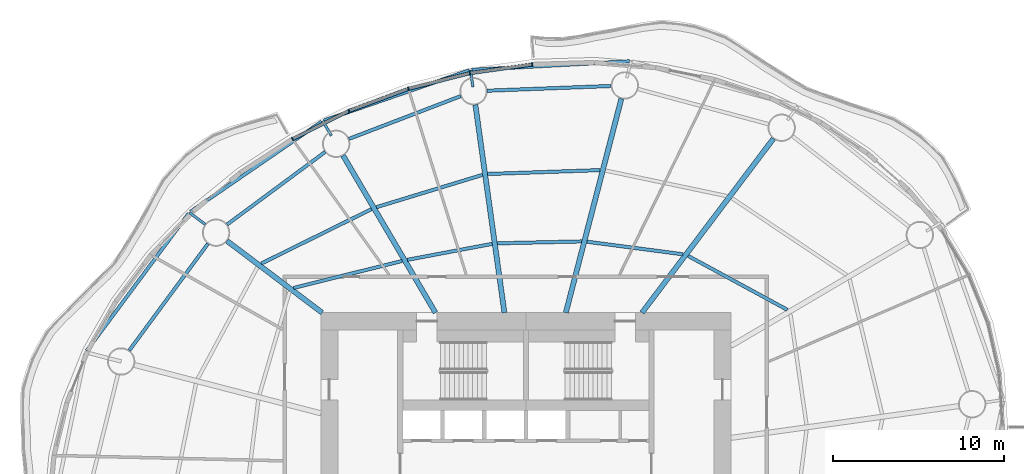
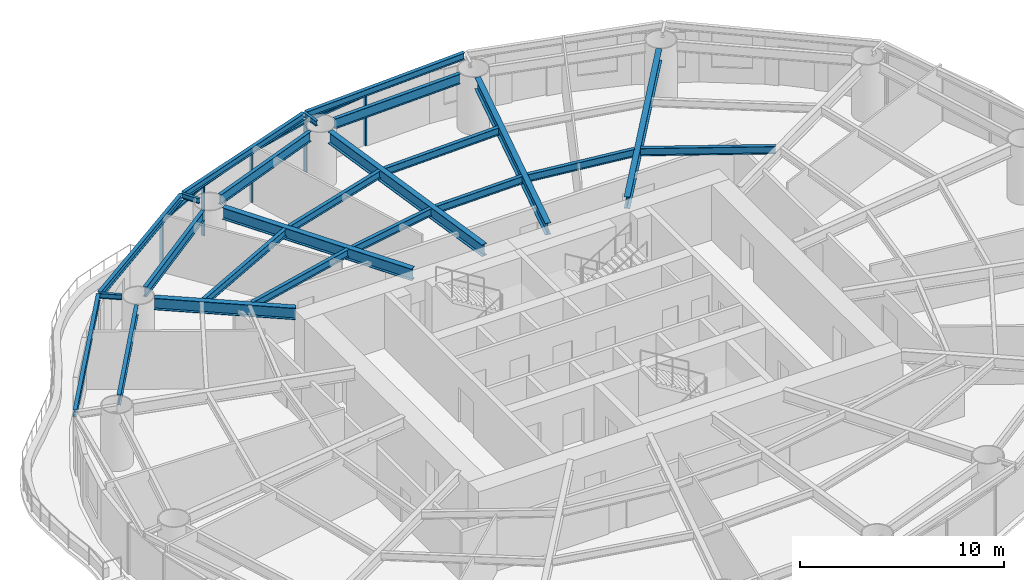
# One storey, part 5 of 16: 24 beams, 9 members, 4 elements without a shape of their own.
"""IFC4 building model written with IfcOpenShell, lengths in metres."""

from ifc_helpers import new_model, si_unit, direction, frame, origin, origin_2d, place, context, subcontext, project, spatial, rectangle, i_section, extrude, material, material_profile, profile_set, type_object, element, aggregate, save


model = new_model("IFC4")

# Units and contexts
model_context = context("Model", 3, precision=1e-05, world=origin(), true_north=direction((0.0, 1.0)))
body_context = subcontext(model_context, "Body", "Model", "MODEL_VIEW")
ifc_project = project(units=[si_unit("LENGTHUNIT", "METRE"), si_unit("AREAUNIT", "SQUARE_METRE"), si_unit("VOLUMEUNIT", "CUBIC_METRE"), si_unit("PLANEANGLEUNIT", "RADIAN"), si_unit("MASSUNIT", "GRAM", prefix="KILO")], contexts=[model_context])

# Site, building, storey
site_placement = place(None, origin())
site = spatial("IfcSite", under=ifc_project, at=site_placement, CompositionType="ELEMENT")
building_placement = place(site_placement, origin())
building = spatial("IfcBuilding", under=site, at=building_placement, Name="Vermilion Reach Broadcast Tower", CompositionType="ELEMENT")
storey_placement = place(building_placement, frame((0.0, 0.0, 103.0)))
storey = spatial("IfcBuildingStorey", under=building, at=storey_placement, Name="L23", CompositionType="ELEMENT", Elevation=103.0)

# Beams
ifc_material_1 = material(Name="Steel S355J2", Category="steel")
ifc_material_profile_1 = material_profile(ifc_material_1, i_section(OverallWidth=0.199951171875, OverallDepth=0.39990234375, WebThickness=0.008056640625, FlangeThickness=0.012939453125, at=origin_2d()), Name="S355J2 HN 400x200x8x13")
ifc_profile_set_1 = profile_set([ifc_material_profile_1], Name="Steel S355J2")
beam_type_1 = type_object("IfcBeamType", Name="EB2 HN 400x200x8x13", PredefinedType="BEAM", material=ifc_profile_set_1)
beam_1_placement = place(storey_placement, frame((0.07568359375, 23.70751953125, 3.25), z_axis=(-0.998527942842, -0.054239721281, 0.0), x_axis=(0.054239721281, -0.998527942842, 0.0)))
element("IfcBeam", 1, at=beam_1_placement, inside=storey, type_object=beam_type_1, Name="Edge beam EB2-03", PredefinedType="BEAM", context=body_context, shape_type="SweptSolid", body=[
    extrude(i_section(OverallWidth=0.199951171875, OverallDepth=0.39990234375, WebThickness=0.008056640625, FlangeThickness=0.012939453125, at=origin_2d()), origin(), (0.0, 0.0, 1.0), 9.25439453125),
])
beam_2_placement = place(storey_placement, frame((-9.312255859375, 23.176513671875, 3.25), z_axis=(-0.94533604781, -0.326097771705, 0.0), x_axis=(0.326097771705, -0.94533604781, 0.0)))
element("IfcBeam", 2, at=beam_2_placement, inside=storey, type_object=beam_type_1, Name="Edge beam EB2-04", PredefinedType="BEAM", context=body_context, shape_type="SweptSolid", body=[
    extrude(i_section(OverallWidth=0.199951171875, OverallDepth=0.39990234375, WebThickness=0.008056640625, FlangeThickness=0.012939453125, at=origin_2d()), origin(), (0.0, 0.0, 1.0), 8.9931640625),
])
beam_3_placement = place(storey_placement, frame((-17.9482421875, 20.176513671875, 3.25), z_axis=(-0.824444973013, -0.565942122901, 0.0), x_axis=(0.565942122901, -0.824444973013, 0.0)))
element("IfcBeam", 3, at=beam_3_placement, inside=storey, type_object=beam_type_1, Name="Edge beam EB2-05", PredefinedType="BEAM", context=body_context, shape_type="SweptSolid", body=[
    extrude(i_section(OverallWidth=0.199951171875, OverallDepth=0.39990234375, WebThickness=0.008056640625, FlangeThickness=0.012939453125, at=origin_2d()), origin(), (0.0, 0.0, 1.0), 9.309326171875),
])
beam_4_placement = place(storey_placement, frame((-25.733154296875, 14.802978515625, 3.25), z_axis=(-0.596000802444, -0.802983837624, 0.0), x_axis=(0.802983837624, -0.596000802444, 0.0)))
element("IfcBeam", 4, at=beam_4_placement, inside=storey, type_object=beam_type_1, Name="Edge beam EB2-06", PredefinedType="BEAM", context=body_context, shape_type="SweptSolid", body=[
    extrude(i_section(OverallWidth=0.199951171875, OverallDepth=0.39990234375, WebThickness=0.008056640625, FlangeThickness=0.012939453125, at=origin_2d()), origin(), (0.0, 0.0, 1.0), 10.001220703125),
])
ifc_material_2 = material(Name="Steel S355J2", Category="steel")
ifc_material_profile_2 = material_profile(ifc_material_2, i_section(OverallWidth=0.300048828125, OverallDepth=0.699951171875, WebThickness=0.012939453125, FlangeThickness=0.02392578125, at=origin_2d()), Name="S355J2 HN 700x300x13x24")
ifc_profile_set_2 = profile_set([ifc_material_profile_2], Name="Steel S355J2")
beam_type_2 = type_object("IfcBeamType", Name="G2 HN 700x300x13x24", PredefinedType="BEAM", material=ifc_profile_set_2)
beam_5_placement = place(storey_placement, frame((0.794189453125, 9.0, 3.10009765625), z_axis=(0.602519842365, 0.798103902733, 0.0), x_axis=(-0.798103902733, 0.602519842365, 0.0)))
element("IfcBeam", 5, at=beam_5_placement, inside=storey, type_object=beam_type_2, Name="Girder G2-02", PredefinedType="BEAM", context=body_context, shape_type="SweptSolid", body=[
    extrude(i_section(OverallWidth=0.300048828125, OverallDepth=0.699951171875, WebThickness=0.012939453125, FlangeThickness=0.02392578125, at=origin_2d()), origin(), (0.0, 0.0, 1.0), 12.758544921875),
])
beam_6_placement = place(storey_placement, frame((-3.6640625, 9.0, 3.10009765625), z_axis=(0.25121695316, 0.967930804575, 0.0), x_axis=(-0.967930804575, 0.25121695316, 0.0)))
element("IfcBeam", 6, at=beam_6_placement, inside=storey, type_object=beam_type_2, Name="Girder G2-03", PredefinedType="BEAM", context=body_context, shape_type="SweptSolid", body=[
    extrude(i_section(OverallWidth=0.300048828125, OverallDepth=0.699951171875, WebThickness=0.012939453125, FlangeThickness=0.02392578125, at=origin_2d()), origin(), (0.0, 0.0, 1.0), 12.93505859375),
])
beam_7_placement = place(storey_placement, frame((-7.2568359375, 9.0, 3.10009765625), z_axis=(-0.138317561234, 0.990387930184, 0.0), x_axis=(-0.990387930184, -0.138317561234, 0.0)))
element("IfcBeam", 7, at=beam_7_placement, inside=storey, type_object=beam_type_2, Name="Girder G2-04", PredefinedType="BEAM", context=body_context, shape_type="SweptSolid", body=[
    extrude(i_section(OverallWidth=0.300048828125, OverallDepth=0.699951171875, WebThickness=0.012939453125, FlangeThickness=0.02392578125, at=origin_2d()), origin(), (0.0, 0.0, 1.0), 12.281494140625),
])
beam_8_placement = place(storey_placement, frame((-11.290771484375, 9.0, 3.10009765625), z_axis=(-0.506783943634, 0.862073102744, 0.0), x_axis=(-0.862073102744, -0.506783943634, 0.0)))
element("IfcBeam", 8, at=beam_8_placement, inside=storey, type_object=beam_type_2, Name="Girder G2-05", PredefinedType="BEAM", context=body_context, shape_type="SweptSolid", body=[
    extrude(i_section(OverallWidth=0.300048828125, OverallDepth=0.699951171875, WebThickness=0.012939453125, FlangeThickness=0.02392578125, at=origin_2d()), origin(), (0.0, 0.0, 1.0), 10.661865234375),
])
beam_9_placement = place(storey_placement, frame((-17.921630859375, 9.0, 3.10009765625), z_axis=(-0.798113534072, 0.602507084382, 0.0), x_axis=(-0.602507084382, -0.798113534072, 0.0)))
element("IfcBeam", 9, at=beam_9_placement, inside=storey, type_object=beam_type_2, Name="Girder G2-06", PredefinedType="BEAM", context=body_context, shape_type="SweptSolid", body=[
    extrude(i_section(OverallWidth=0.300048828125, OverallDepth=0.699951171875, WebThickness=0.012939453125, FlangeThickness=0.02392578125, at=origin_2d()), origin(), (0.0, 0.0, 1.0), 6.971923828125),
])
ifc_material_3 = material(Name="Steel S355J2", Category="steel")
ifc_material_profile_3 = material_profile(ifc_material_3, i_section(OverallWidth=0.14990234375, OverallDepth=0.300048828125, WebThickness=0.006591796875, FlangeThickness=0.009033203125, at=origin_2d()), Name="S355J2 HN 300x150x6.5x9")
ifc_profile_set_3 = profile_set([ifc_material_profile_3], Name="Steel S355J2")
beam_type_3 = type_object("IfcBeamType", Name="GS2 HN 300x150x6.5x9", PredefinedType="BEAM", material=ifc_profile_set_3)
beam_10_placement = place(storey_placement, frame((-9.101806640625, 22.211181640625, 3.300048828125), z_axis=(-0.138446678286, 0.990369889118, 0.0), x_axis=(-0.990369889118, -0.138446678286, 0.0)))
element("IfcBeam", 10, at=beam_10_placement, inside=storey, type_object=beam_type_3, Name="Cantilever stub GS2-04", PredefinedType="BEAM", context=body_context, shape_type="SweptSolid", body=[
    extrude(i_section(OverallWidth=0.14990234375, OverallDepth=0.300048828125, WebThickness=0.006591796875, FlangeThickness=0.009033203125, at=origin_2d()), origin(), (0.0, 0.0, 1.0), 0.999755859375),
])
beam_11_placement = place(storey_placement, frame((-17.37939453125, 19.35693359375, 3.300048828125), z_axis=(-0.506828068037, 0.862047161964, 0.0), x_axis=(-0.862047161964, -0.506828068037, 0.0)))
element("IfcBeam", 11, at=beam_11_placement, inside=storey, type_object=beam_type_3, Name="Cantilever stub GS2-05", PredefinedType="BEAM", context=body_context, shape_type="SweptSolid", body=[
    extrude(i_section(OverallWidth=0.14990234375, OverallDepth=0.300048828125, WebThickness=0.006591796875, FlangeThickness=0.009033203125, at=origin_2d()), origin(), (0.0, 0.0, 1.0), 1.0),
])
beam_12_placement = place(storey_placement, frame((-24.762939453125, 14.16455078125, 3.300048828125), z_axis=(-0.798101283715, 0.602523311526, 0.0), x_axis=(-0.602523311526, -0.798101283715, 0.0)))
element("IfcBeam", 12, at=beam_12_placement, inside=storey, type_object=beam_type_3, Name="Cantilever stub GS2-06", PredefinedType="BEAM", context=body_context, shape_type="SweptSolid", body=[
    extrude(i_section(OverallWidth=0.14990234375, OverallDepth=0.300048828125, WebThickness=0.006591796875, FlangeThickness=0.009033203125, at=origin_2d()), origin(), (0.0, 0.0, 1.0), 1.15966796875),
])
ifc_material_4 = material(Name="Steel S355J2", Category="steel")
ifc_material_profile_4 = material_profile(ifc_material_4, i_section(OverallWidth=0.199951171875, OverallDepth=0.60009765625, WebThickness=0.010986328125, FlangeThickness=0.01708984375, at=origin_2d()), Name="S355J2 HN 600x200x11x17")
ifc_profile_set_4 = profile_set([ifc_material_profile_4], Name="Steel S355J2")
beam_type_4 = type_object("IfcBeamType", Name="RB2 HN 600x200x11x17", PredefinedType="BEAM", material=ifc_profile_set_4)
beam_13_placement = place(storey_placement, frame((-1.012939453125, 22.263916015625, 3.14990234375), z_axis=(-0.999268558327, -0.038240663418, 0.0), x_axis=(0.038240663418, -0.999268558327, 0.0)))
element("IfcBeam", 13, at=beam_13_placement, inside=storey, type_object=beam_type_4, Name="Ring beam RB2-03", PredefinedType="BEAM", context=body_context, shape_type="SweptSolid", body=[
    extrude(i_section(OverallWidth=0.199951171875, OverallDepth=0.60009765625, WebThickness=0.010986328125, FlangeThickness=0.01708984375, at=origin_2d()), origin(), (0.0, 0.0, 1.0), 7.259033203125),
])
beam_14_placement = place(storey_placement, frame((-9.813232421875, 21.669677734375, 3.14990234375), z_axis=(-0.933939237212, -0.357431813353, 0.0), x_axis=(0.357431813353, -0.933939237212, 0.0)))
element("IfcBeam", 14, at=beam_14_placement, inside=storey, type_object=beam_type_4, Name="Ring beam RB2-04", PredefinedType="BEAM", context=body_context, shape_type="SweptSolid", body=[
    extrude(i_section(OverallWidth=0.199951171875, OverallDepth=0.60009765625, WebThickness=0.010986328125, FlangeThickness=0.01708984375, at=origin_2d()), origin(), (0.0, 0.0, 1.0), 7.001953125),
])
beam_15_placement = place(storey_placement, frame((-17.74267578125, 18.4052734375, 3.14990234375), z_axis=(-0.803832742218, -0.594855379515, 0.0), x_axis=(0.594855379515, -0.803832742218, 0.0)))
element("IfcBeam", 15, at=beam_15_placement, inside=storey, type_object=beam_type_4, Name="Ring beam RB2-05", PredefinedType="BEAM", context=body_context, shape_type="SweptSolid", body=[
    extrude(i_section(OverallWidth=0.199951171875, OverallDepth=0.60009765625, WebThickness=0.010986328125, FlangeThickness=0.01708984375, at=origin_2d()), origin(), (0.0, 0.0, 1.0), 7.13916015625),
])
beam_16_placement = place(storey_placement, frame((-24.59912109375, 13.03857421875, 3.14990234375), z_axis=(-0.593250534798, -0.80501788984, 0.0), x_axis=(0.80501788984, -0.593250534798, 0.0)))
element("IfcBeam", 16, at=beam_16_placement, inside=storey, type_object=beam_type_4, Name="Ring beam RB2-06", PredefinedType="BEAM", context=body_context, shape_type="SweptSolid", body=[
    extrude(i_section(OverallWidth=0.199951171875, OverallDepth=0.60009765625, WebThickness=0.010986328125, FlangeThickness=0.01708984375, at=origin_2d()), origin(), (0.0, 0.0, 1.0), 7.76220703125),
])
ifc_material_5 = material(Name="Steel S355J2", Category="steel")
ifc_material_profile_5 = material_profile(ifc_material_5, i_section(OverallWidth=0.199951171875, OverallDepth=0.449951171875, WebThickness=0.009033203125, FlangeThickness=0.013916015625, at=origin_2d()), Name="S355J2 HN 450x200x9x14")
ifc_profile_set_5 = profile_set([ifc_material_profile_5], Name="Steel S355J2")
beam_type_5 = type_object("IfcBeamType", Name="SB2 HN 450x200x9x14", PredefinedType="BEAM", material=ifc_profile_set_5)
beam_17_placement = place(storey_placement, frame((9.29736328125, 9.1669921875, 3.22509765625), z_axis=(-0.878713106774, 0.477350265512, 0.0), x_axis=(-0.477350265512, -0.878713106774, 0.0)))
element("IfcBeam", 17, at=beam_17_placement, inside=storey, type_object=beam_type_5, Name="Secondary beam SB2-01-1", PredefinedType="BEAM", context=body_context, shape_type="SweptSolid", body=[
    extrude(i_section(OverallWidth=0.199951171875, OverallDepth=0.449951171875, WebThickness=0.009033203125, FlangeThickness=0.013916015625, at=origin_2d()), origin(), (0.0, 0.0, 1.0), 6.60888671875),
])
beam_18_placement = place(storey_placement, frame((3.185546875, 12.416748046875, 3.22509765625), z_axis=(-0.991498686864, 0.130116693573, 0.0), x_axis=(-0.130116693573, -0.991498686864, 0.0)))
element("IfcBeam", 18, at=beam_18_placement, inside=storey, type_object=beam_type_5, Name="Secondary beam SB2-02-1", PredefinedType="BEAM", context=body_context, shape_type="SweptSolid", body=[
    extrude(i_section(OverallWidth=0.199951171875, OverallDepth=0.449951171875, WebThickness=0.009033203125, FlangeThickness=0.013916015625, at=origin_2d()), origin(), (0.0, 0.0, 1.0), 5.66455078125),
])
beam_19_placement = place(storey_placement, frame((-2.73681640625, 13.169921875, 3.22509765625), z_axis=(-0.999742320425, -0.022700060602, 0.0), x_axis=(0.022700060602, -0.999742320425, 0.0)))
element("IfcBeam", 19, at=beam_19_placement, inside=storey, type_object=beam_type_5, Name="Secondary beam SB2-03-1", PredefinedType="BEAM", context=body_context, shape_type="SweptSolid", body=[
    extrude(i_section(OverallWidth=0.199951171875, OverallDepth=0.449951171875, WebThickness=0.009033203125, FlangeThickness=0.013916015625, at=origin_2d()), origin(), (0.0, 0.0, 1.0), 4.9365234375),
])
beam_20_placement = place(storey_placement, frame((-1.654052734375, 17.34130859375, 3.22509765625), z_axis=(-0.999404722387, -0.03449928797, 0.0), x_axis=(0.03449928797, -0.999404722387, 0.0)))
element("IfcBeam", 20, at=beam_20_placement, inside=storey, type_object=beam_type_5, Name="Secondary beam SB2-03-2", PredefinedType="BEAM", context=body_context, shape_type="SweptSolid", body=[
    extrude(i_section(OverallWidth=0.199951171875, OverallDepth=0.449951171875, WebThickness=0.009033203125, FlangeThickness=0.013916015625, at=origin_2d()), origin(), (0.0, 0.0, 1.0), 6.58837890625),
])
beam_21_placement = place(storey_placement, frame((-7.970703125, 13.026611328125, 3.22509765625), z_axis=(-0.982782890015, -0.184764149915, 0.0), x_axis=(0.184764149915, -0.982782890015, 0.0)))
element("IfcBeam", 21, at=beam_21_placement, inside=storey, type_object=beam_type_5, Name="Secondary beam SB2-04-1", PredefinedType="BEAM", context=body_context, shape_type="SweptSolid", body=[
    extrude(i_section(OverallWidth=0.199951171875, OverallDepth=0.449951171875, WebThickness=0.009033203125, FlangeThickness=0.013916015625, at=origin_2d()), origin(), (0.0, 0.0, 1.0), 5.051513671875),
])
beam_22_placement = place(storey_placement, frame((-8.53466796875, 17.064697265625, 3.22509765625), z_axis=(-0.956596430605, -0.291415972374, 0.0), x_axis=(0.291415972374, -0.956596430605, 0.0)))
element("IfcBeam", 22, at=beam_22_placement, inside=storey, type_object=beam_type_5, Name="Secondary beam SB2-04-2", PredefinedType="BEAM", context=body_context, shape_type="SweptSolid", body=[
    extrude(i_section(OverallWidth=0.199951171875, OverallDepth=0.449951171875, WebThickness=0.009033203125, FlangeThickness=0.013916015625, at=origin_2d()), origin(), (0.0, 0.0, 1.0), 6.49267578125),
])
beam_23_placement = place(storey_placement, frame((-13.24365234375, 12.026123046875, 3.22509765625), z_axis=(-0.970396717612, -0.241516480695, 0.0), x_axis=(0.241516480695, -0.970396717612, 0.0)))
element("IfcBeam", 23, at=beam_23_placement, inside=storey, type_object=beam_type_5, Name="Secondary beam SB2-05-1", PredefinedType="BEAM", context=body_context, shape_type="SweptSolid", body=[
    extrude(i_section(OverallWidth=0.199951171875, OverallDepth=0.449951171875, WebThickness=0.009033203125, FlangeThickness=0.013916015625, at=origin_2d()), origin(), (0.0, 0.0, 1.0), 6.539306640625),
])
beam_24_placement = place(storey_placement, frame((-15.02783203125, 15.06103515625, 3.22509765625), z_axis=(-0.896648255868, -0.442743611189, 0.0), x_axis=(0.442743611189, -0.896648255868, 0.0)))
element("IfcBeam", 24, at=beam_24_placement, inside=storey, type_object=beam_type_5, Name="Secondary beam SB2-05-2", PredefinedType="BEAM", context=body_context, shape_type="SweptSolid", body=[
    extrude(i_section(OverallWidth=0.199951171875, OverallDepth=0.449951171875, WebThickness=0.009033203125, FlangeThickness=0.013916015625, at=origin_2d()), origin(), (0.0, 0.0, 1.0), 7.19677734375),
])

# Curtain wall, member
ifc_material_6 = material(Name="Low-e laminated clear glass in aluminium frame", Category="aluminium")
curtain_wall_type = type_object("IfcCurtainWallType", Name="Slot curtain wall", PredefinedType="NOTDEFINED", material=ifc_material_6)
placement = place(storey_placement, origin())
curtain_wall_1 = element("IfcCurtainWall", 25, at=placement, inside=storey, type_object=curtain_wall_type, Name="Slot curtain wall L23 10", PredefinedType="NOTDEFINED")
ifc_material_7 = material(Name="Anodised aluminium", Category="aluminium")
ifc_material_profile_6 = material_profile(ifc_material_7, rectangle(XDim=0.199951171875, YDim=0.080078125, at=origin_2d()), Name="Slot mullion 80 x 200")
ifc_profile_set_6 = profile_set([ifc_material_profile_6], Name="Anodised aluminium")
member_type_1 = type_object("IfcMemberType", Name="Slot mullion 80 x 200", PredefinedType="MULLION", material=ifc_profile_set_6)
member_1_placement = place(storey_placement, frame((-5.63037109375, 23.522705078125, 0.0), z_axis=(0.0, 0.0, 1.0), x_axis=(0.085051697822, -0.996376539616, 0.0)))
member_1 = element("IfcMember", 26, at=member_1_placement, type_object=member_type_1, Name="Slot mullion L23 10", PredefinedType="MULLION", context=body_context, shape_type="SweptSolid", body=[
    extrude(rectangle(XDim=0.199951171875, YDim=0.080078125, at=origin_2d()), origin(), (0.0, 0.0, 1.0), 3.050048828125),
])

curtain_wall_2 = element("IfcCurtainWall", 27, at=placement, inside=storey, type_object=curtain_wall_type, Name="Slot curtain wall L23 11", PredefinedType="NOTDEFINED")
member_2_placement = place(storey_placement, frame((-9.280517578125, 23.008056640625, 0.0), z_axis=(0.0, 0.0, 1.0), x_axis=(0.192762848087, -0.981245374204, 0.0)))
member_2 = element("IfcMember", 28, at=member_2_placement, type_object=member_type_1, Name="Slot mullion L23 11", PredefinedType="MULLION", context=body_context, shape_type="SweptSolid", body=[
    extrude(rectangle(XDim=0.199951171875, YDim=0.080078125, at=origin_2d()), origin(), (0.0, 0.0, 1.0), 3.050048828125),
])

curtain_wall_3 = element("IfcCurtainWall", 29, at=placement, inside=storey, type_object=curtain_wall_type, Name="Slot curtain wall L23 12", PredefinedType="NOTDEFINED")
member_3_placement = place(storey_placement, frame((-12.87451171875, 22.098388671875, 0.0), z_axis=(0.0, 0.0, 1.0), x_axis=(0.297041676171, -0.95486451532, 0.0)))
member_3 = element("IfcMember", 30, at=member_3_placement, type_object=member_type_1, Name="Slot mullion L23 12", PredefinedType="MULLION", context=body_context, shape_type="SweptSolid", body=[
    extrude(rectangle(XDim=0.199951171875, YDim=0.080078125, at=origin_2d()), origin(), (0.0, 0.0, 1.0), 3.050048828125),
])

# Curtain wall, members
curtain_wall_4 = element("IfcCurtainWall", 31, at=placement, inside=storey, type_object=curtain_wall_type, Name="Slot curtain wall L23 13", PredefinedType="NOTDEFINED")
member_4_placement = place(storey_placement, frame((-16.350341796875, 20.808837890625, 0.0), z_axis=(0.0, 0.0, 1.0), x_axis=(0.397883438481, -0.917435975631, 0.0)))
member_4 = element("IfcMember", 32, at=member_4_placement, type_object=member_type_1, Name="Slot mullion L23 13", PredefinedType="MULLION", context=body_context, shape_type="SweptSolid", body=[
    extrude(rectangle(XDim=0.199951171875, YDim=0.080078125, at=origin_2d()), origin(), (0.0, 0.0, 1.0), 3.050048828125),
])
member_5_placement = place(storey_placement, frame((-19.64794921875, 19.162109375, 0.0), z_axis=(0.0, 0.0, 1.0), x_axis=(0.495170529438, -0.868795802693, 0.0)))
member_5 = element("IfcMember", 33, at=member_5_placement, type_object=member_type_1, Name="Slot mullion L23 14", PredefinedType="MULLION", context=body_context, shape_type="SweptSolid", body=[
    extrude(rectangle(XDim=0.199951171875, YDim=0.080078125, at=origin_2d()), origin(), (0.0, 0.0, 1.0), 3.050048828125),
])

# Member
ifc_material_8 = material(Name="Anodised aluminium", Category="aluminium")
ifc_material_profile_7 = material_profile(ifc_material_8, rectangle(XDim=0.199951171875, YDim=0.10009765625, at=origin_2d()), Name="Slot transom 200 x 100")
ifc_profile_set_7 = profile_set([ifc_material_profile_7], Name="Anodised aluminium")
member_type_2 = type_object("IfcMemberType", Name="Slot transom 200 x 100", PredefinedType="USERDEFINED", material=ifc_profile_set_7)
member_6_placement = place(storey_placement, frame((-5.670166015625, 23.51708984375, 3.0), z_axis=(-0.990207796209, -0.139601290564, 0.0), x_axis=(0.139601290564, -0.990207796209, 0.0)))
member_6 = element("IfcMember", 34, at=member_6_placement, type_object=member_type_2, Name="Slot transom L23 10.1", ObjectType="TRANSOM", PredefinedType="USERDEFINED", context=body_context, shape_type="SweptSolid", body=[
    extrude(rectangle(XDim=0.199951171875, YDim=0.10009765625, at=origin_2d()), origin(), (0.0, 0.0, 1.0), 3.606201171875),
])

aggregate(curtain_wall_1, [member_1, member_6])

member_7_placement = place(storey_placement, frame((-9.3193359375, 22.998291015625, 3.0), z_axis=(-0.96942164454, -0.245401049503, 0.0), x_axis=(0.245401049503, -0.96942164454, 0.0)))
member_7 = element("IfcMember", 35, at=member_7_placement, type_object=member_type_2, Name="Slot transom L23 11.1", ObjectType="TRANSOM", PredefinedType="USERDEFINED", context=body_context, shape_type="SweptSolid", body=[
    extrude(rectangle(XDim=0.199951171875, YDim=0.10009765625, at=origin_2d()), origin(), (0.0, 0.0, 1.0), 3.627197265625),
])

aggregate(curtain_wall_2, [member_2, member_7])

member_8_placement = place(storey_placement, frame((-12.911865234375, 22.08447265625, 3.0), z_axis=(-0.937557014258, -0.347831633143, 0.0), x_axis=(0.347831633143, -0.937557014258, 0.0)))
member_8 = element("IfcMember", 36, at=member_8_placement, type_object=member_type_2, Name="Slot transom L23 12.1", ObjectType="TRANSOM", PredefinedType="USERDEFINED", context=body_context, shape_type="SweptSolid", body=[
    extrude(rectangle(XDim=0.199951171875, YDim=0.10009765625, at=origin_2d()), origin(), (0.0, 0.0, 1.0), 3.62744140625),
])

aggregate(curtain_wall_3, [member_3, member_8])

member_9_placement = place(storey_placement, frame((-16.385986328125, 20.791015625, 3.0), z_axis=(-0.894643739588, -0.446780235927, 0.0), x_axis=(0.446780235927, -0.894643739588, 0.0)))
member_9 = element("IfcMember", 37, at=member_9_placement, type_object=member_type_2, Name="Slot transom L23 13.1", ObjectType="TRANSOM", PredefinedType="USERDEFINED", context=body_context, shape_type="SweptSolid", body=[
    extrude(rectangle(XDim=0.199951171875, YDim=0.10009765625, at=origin_2d()), origin(), (0.0, 0.0, 1.0), 3.60595703125),
])

aggregate(curtain_wall_4, [member_4, member_5, member_9])

save(model, "model.ifc")
